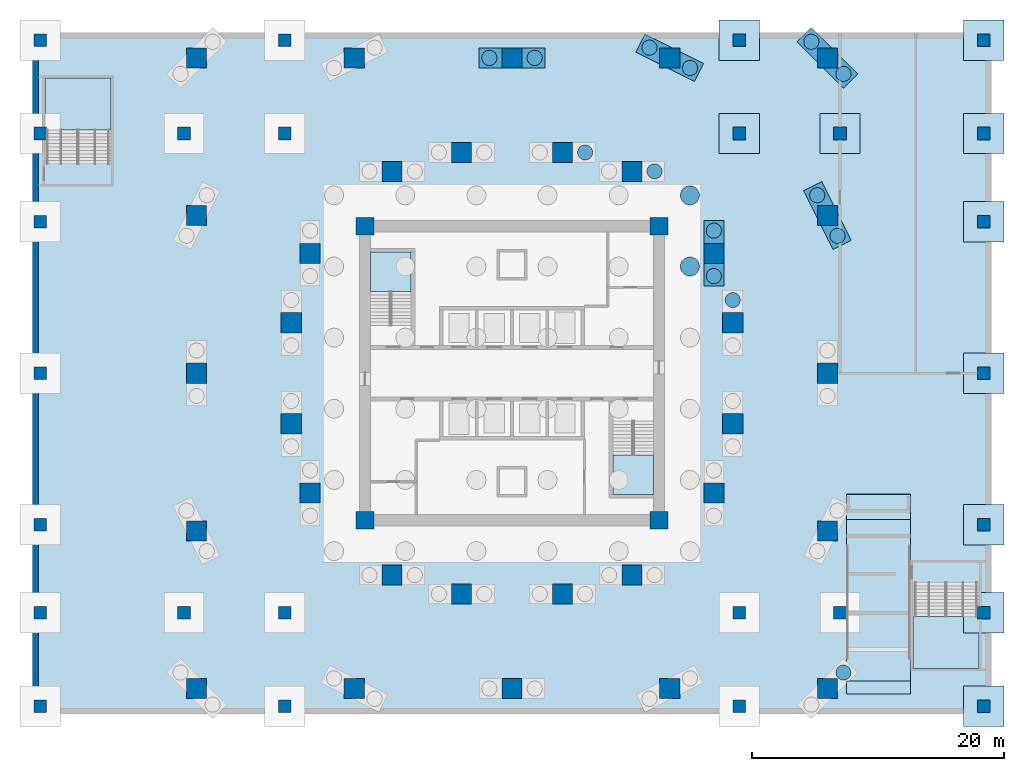
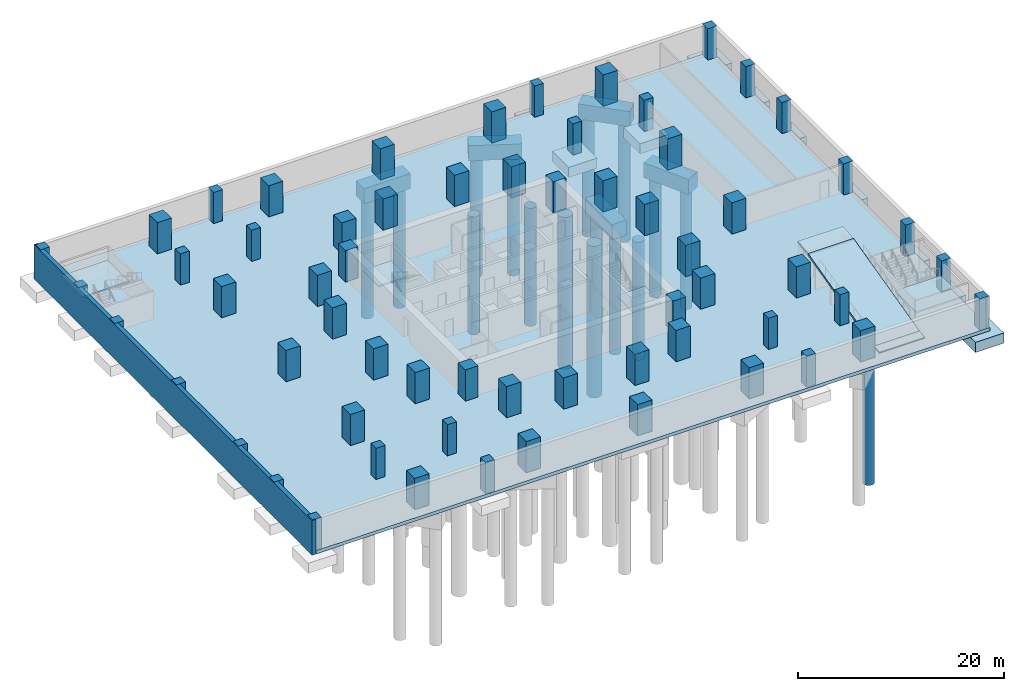
# One storey, part 2 of 11: 62 columns, 16 piles, 15 footings, 8 slabs, 1 wall, 4 elements without a shape of their own.
"""IFC4 building model written with IfcOpenShell, lengths in metres."""

from ifc_helpers import new_model, si_unit, direction, frame, frame_2d, origin, origin_2d, place, context, subcontext, project, spatial, polyline, rectangle, circle, outline, extrude, material, layer, layer_set, material_profile, profile_set, type_object, element, aggregate, save


model = new_model("IFC4")

# Units and contexts
model_context = context("Model", 3, precision=1e-05, world=origin(), true_north=direction((0.0, 1.0)))
body_context = subcontext(model_context, "Body", "Model", "MODEL_VIEW")
ifc_project = project(units=[si_unit("LENGTHUNIT", "METRE"), si_unit("AREAUNIT", "SQUARE_METRE"), si_unit("VOLUMEUNIT", "CUBIC_METRE"), si_unit("PLANEANGLEUNIT", "RADIAN"), si_unit("MASSUNIT", "GRAM", prefix="KILO")], contexts=[model_context])

# Site, building, storey
site_placement = place(None, origin())
site = spatial("IfcSite", under=ifc_project, at=site_placement, CompositionType="ELEMENT")
building_placement = place(site_placement, origin())
building = spatial("IfcBuilding", under=site, at=building_placement, Name="Torsade Residences", CompositionType="ELEMENT")
storey_placement = place(building_placement, frame((0.0, 0.0, -7.39990234375)))
storey = spatial("IfcBuildingStorey", under=building, at=storey_placement, Name="B2", CompositionType="ELEMENT", Elevation=-7.39990234375)

# Piles
ifc_material_1 = material(Name="Concrete 50 MPa", Category="concrete")
pile_type_1 = type_object("IfcPileType", Name="BORED PILE 1200", PredefinedType="BORED", material=ifc_material_1)
for number, where, z_axis, x_axis, name in (
    (1, (66.272705078125, 6.272705078125, -2.2001953125), (0.0, 0.0, -1.0), (1.0, 0.0, 0.0), "Cap pile BP2-05-2"),
    (2, (65.804931640625, 40.89013671875, -2.2001953125), (0.0, 0.0, -1.0), (1.0, 0.0, 0.0), "Cap pile BP2-08-1"),
    (3, (64.195068359375, 44.10986328125, -2.2001953125), (0.0, 0.0, -1.0), (1.0, 0.0, 0.0), "Cap pile BP2-08-2"),
    (4, (66.272705078125, 53.727294921875, -2.2001953125), (0.0, 0.0, -1.0), (1.0, 0.0, 0.0), "Cap pile BP2-09-1"),
    (5, (63.727294921875, 56.272705078125, -2.2001953125), (0.0, 0.0, -1.0), (1.0, 0.0, 0.0), "Cap pile BP2-09-2"),
    (6, (54.10986328125, 54.195068359375, -2.2001953125), (0.0, 0.0, -1.0), (1.0, 0.0, 0.0), "Cap pile BP2-10-1"),
    (7, (50.89013671875, 55.804931640625, -2.2001953125), (0.0, 0.0, -1.0), (1.0, 0.0, 0.0), "Cap pile BP2-10-2"),
    (8, (41.800048828125, 55.0, -2.2001953125), (0.0, 0.0, -1.0), (1.0, 0.0, 0.0), "Cap pile BP2-11-1"),
    (9, (38.199951171875, 55.0, -2.2001953125), (0.0, 0.0, -1.0), (1.0, 0.0, 0.0), "Cap pile BP2-11-2"),
    (10, (57.5, 35.800048828125, -2.2001953125), (0.0, 0.0, -1.0), (1.0, 0.0, 0.0), "Cap pile BP2-IR02-2"),
    (11, (56.0, 37.699951171875, -2.2001953125), (0.0, 0.0, -1.0), (1.0, 0.0, 0.0), "Cap pile BP2-IR03-1"),
    (12, (56.0, 41.300048828125, -2.2001953125), (0.0, 0.0, -1.0), (1.0, 0.0, 0.0), "Cap pile BP2-IR03-2"),
    (13, (51.300048828125, 46.0, -2.2001953125), (0.0, 0.0, -1.0), (1.0, 0.0, 0.0), "Cap pile BP2-IR04-2"),
    (14, (45.800048828125, 47.5, -2.2001953125), (0.0, 0.0, -1.0), (1.0, 0.0, 0.0), "Cap pile BP2-IR05-2"),
):
    element("IfcPile", number, at=place(storey_placement, frame(where, z_axis=z_axis, x_axis=x_axis)), inside=storey, type_object=pile_type_1, Name=name, PredefinedType="BORED", context=body_context, shape_type="SweptSolid", body=[
        extrude(circle(Radius=0.60009765625, at=origin_2d()), origin(), (0.0, 0.0, 1.0), 14.0),
    ])
ifc_material_2 = material(Name="Concrete 50 MPa", Category="concrete")
pile_type_2 = type_object("IfcPileType", Name="BORED PILE 1500", PredefinedType="BORED", material=ifc_material_2)
for number, where, z_axis, x_axis, name in (
    (15, (54.10009765625, 38.4599609375, -3.0), (0.0, 0.0, -1.0), (1.0, 0.0, 0.0), "Raft pile BP1-35"),
    (16, (54.10009765625, 44.10009765625, -3.0), (0.0, 0.0, -1.0), (1.0, 0.0, 0.0), "Raft pile BP1-36"),
):
    element("IfcPile", number, at=place(storey_placement, frame(where, z_axis=z_axis, x_axis=x_axis)), inside=storey, type_object=pile_type_2, Name=name, PredefinedType="BORED", context=body_context, shape_type="SweptSolid", body=[
        extrude(circle(Radius=0.75, at=origin_2d()), origin(), (0.0, 0.0, 1.0), 18.0),
    ])

# Footings
ifc_material_3 = material(Name="Concrete 50 MPa", Category="concrete")
ifc_layer_1 = layer(ifc_material_3, 1.800048828125)
ifc_layer_set_1 = layer_set([ifc_layer_1], Name="Concrete 50 MPa")
footing_type_1 = type_object("IfcFootingType", Name="COLUMN PILE CAP 1800", PredefinedType="PILE_CAP", material=ifc_layer_set_1)
footing_1_placement = place(storey_placement, frame((0.0, 0.0, -2.2001953125)))
element("IfcFooting", 17, at=footing_1_placement, inside=storey, type_object=footing_type_1, Name="Column pile cap PC2-08", PredefinedType="PILE_CAP", context=body_context, shape_type="SweptSolid", body=[
    extrude(outline(polyline([(66.87841796875, 40.5322265625), (64.552734375, 45.183349609375), (63.12158203125, 44.4677734375), (65.447265625, 39.816650390625), (66.87841796875, 40.5322265625)])), origin(), (0.0, 0.0, 1.0), 1.800048828125),
])
footing_2_placement = place(storey_placement, frame((0.0, 0.0, -2.2001953125)))
element("IfcFooting", 18, at=footing_2_placement, inside=storey, type_object=footing_type_1, Name="Column pile cap PC2-09", PredefinedType="PILE_CAP", context=body_context, shape_type="SweptSolid", body=[
    extrude(outline(polyline([(67.404052734375, 53.727294921875), (63.727294921875, 57.404052734375), (62.595947265625, 56.272705078125), (66.272705078125, 52.595947265625), (67.404052734375, 53.727294921875)])), origin(), (0.0, 0.0, 1.0), 1.800048828125),
])
footing_3_placement = place(storey_placement, frame((0.0, 0.0, -2.2001953125)))
element("IfcFooting", 19, at=footing_3_placement, inside=storey, type_object=footing_type_1, Name="Column pile cap PC2-10", PredefinedType="PILE_CAP", context=body_context, shape_type="SweptSolid", body=[
    extrude(outline(polyline([(55.183349609375, 54.552734375), (50.5322265625, 56.87841796875), (49.816650390625, 55.447265625), (54.4677734375, 53.12158203125), (55.183349609375, 54.552734375)])), origin(), (0.0, 0.0, 1.0), 1.800048828125),
])
footing_4_placement = place(storey_placement, frame((0.0, 0.0, -2.2001953125)))
element("IfcFooting", 20, at=footing_4_placement, inside=storey, type_object=footing_type_1, Name="Column pile cap PC2-11", PredefinedType="PILE_CAP", context=body_context, shape_type="SweptSolid", body=[
    extrude(outline(polyline([(42.60009765625, 55.800048828125), (37.39990234375, 55.800048828125), (37.39990234375, 54.199951171875), (42.60009765625, 54.199951171875), (42.60009765625, 55.800048828125)])), origin(), (0.0, 0.0, 1.0), 1.800048828125),
])
footing_5_placement = place(storey_placement, frame((0.0, 0.0, -2.2001953125)))
element("IfcFooting", 21, at=footing_5_placement, inside=storey, type_object=footing_type_1, Name="Inner ring column pile cap PC2-IR03", PredefinedType="PILE_CAP", context=body_context, shape_type="SweptSolid", body=[
    extrude(outline(polyline([(55.199951171875, 36.89990234375), (56.800048828125, 36.89990234375), (56.800048828125, 42.10009765625), (55.199951171875, 42.10009765625), (55.199951171875, 36.89990234375)])), origin(), (0.0, 0.0, 1.0), 1.800048828125),
])
ifc_material_4 = material(Name="Concrete 50 MPa", Category="concrete")
ifc_layer_2 = layer(ifc_material_4, 1.199951171875)
ifc_layer_set_2 = layer_set([ifc_layer_2], Name="Concrete 50 MPa")
footing_type_2 = type_object("IfcFootingType", Name="PAD FOOTING 3200 SQ", PredefinedType="PAD_FOOTING", material=ifc_layer_set_2)
footing_6_placement = place(storey_placement, frame((0.0, 0.0, -1.60009765625)))
element("IfcFooting", 22, at=footing_6_placement, inside=storey, type_object=footing_type_2, Name="Pad footing F1 7F", PredefinedType="PAD_FOOTING", context=body_context, shape_type="SweptSolid", body=[
    extrude(outline(polyline([(56.39990234375, 47.39990234375), (59.60009765625, 47.39990234375), (59.60009765625, 50.60009765625), (56.39990234375, 50.60009765625), (56.39990234375, 47.39990234375)])), origin(), (0.0, 0.0, 1.0), 1.199951171875),
])
footing_7_placement = place(storey_placement, frame((0.0, 0.0, -1.60009765625)))
element("IfcFooting", 23, at=footing_7_placement, inside=storey, type_object=footing_type_2, Name="Pad footing F1 7G", PredefinedType="PAD_FOOTING", context=body_context, shape_type="SweptSolid", body=[
    extrude(outline(polyline([(56.39990234375, 54.800048828125), (59.60009765625, 54.800048828125), (59.60009765625, 58.0), (56.39990234375, 58.0), (56.39990234375, 54.800048828125)])), origin(), (0.0, 0.0, 1.0), 1.199951171875),
])
footing_8_placement = place(storey_placement, frame((0.0, 0.0, -1.60009765625)))
element("IfcFooting", 24, at=footing_8_placement, inside=storey, type_object=footing_type_2, Name="Pad footing F1 8F", PredefinedType="PAD_FOOTING", context=body_context, shape_type="SweptSolid", body=[
    extrude(outline(polyline([(64.39990234375, 47.39990234375), (67.60009765625, 47.39990234375), (67.60009765625, 50.60009765625), (64.39990234375, 50.60009765625), (64.39990234375, 47.39990234375)])), origin(), (0.0, 0.0, 1.0), 1.199951171875),
])
footing_9_placement = place(storey_placement, frame((0.0, 0.0, -1.60009765625)))
element("IfcFooting", 25, at=footing_9_placement, inside=storey, type_object=footing_type_2, Name="Pad footing F1 9A", PredefinedType="PAD_FOOTING", context=body_context, shape_type="SweptSolid", body=[
    extrude(outline(polyline([(75.800048828125, 2.0), (79.0, 2.0), (79.0, 5.199951171875), (75.800048828125, 5.199951171875), (75.800048828125, 2.0)])), origin(), (0.0, 0.0, 1.0), 1.199951171875),
])
footing_10_placement = place(storey_placement, frame((0.0, 0.0, -1.60009765625)))
element("IfcFooting", 26, at=footing_10_placement, inside=storey, type_object=footing_type_2, Name="Pad footing F1 9B", PredefinedType="PAD_FOOTING", context=body_context, shape_type="SweptSolid", body=[
    extrude(outline(polyline([(75.800048828125, 9.39990234375), (79.0, 9.39990234375), (79.0, 12.60009765625), (75.800048828125, 12.60009765625), (75.800048828125, 9.39990234375)])), origin(), (0.0, 0.0, 1.0), 1.199951171875),
])
footing_11_placement = place(storey_placement, frame((0.0, 0.0, -1.60009765625)))
element("IfcFooting", 27, at=footing_11_placement, inside=storey, type_object=footing_type_2, Name="Pad footing F1 9C", PredefinedType="PAD_FOOTING", context=body_context, shape_type="SweptSolid", body=[
    extrude(outline(polyline([(75.800048828125, 16.39990234375), (79.0, 16.39990234375), (79.0, 19.60009765625), (75.800048828125, 19.60009765625), (75.800048828125, 16.39990234375)])), origin(), (0.0, 0.0, 1.0), 1.199951171875),
])
footing_12_placement = place(storey_placement, frame((0.0, 0.0, -1.60009765625)))
element("IfcFooting", 28, at=footing_12_placement, inside=storey, type_object=footing_type_2, Name="Pad footing F1 9D", PredefinedType="PAD_FOOTING", context=body_context, shape_type="SweptSolid", body=[
    extrude(outline(polyline([(75.800048828125, 28.39990234375), (79.0, 28.39990234375), (79.0, 31.60009765625), (75.800048828125, 31.60009765625), (75.800048828125, 28.39990234375)])), origin(), (0.0, 0.0, 1.0), 1.199951171875),
])
footing_13_placement = place(storey_placement, frame((0.0, 0.0, -1.60009765625)))
element("IfcFooting", 29, at=footing_13_placement, inside=storey, type_object=footing_type_2, Name="Pad footing F1 9E", PredefinedType="PAD_FOOTING", context=body_context, shape_type="SweptSolid", body=[
    extrude(outline(polyline([(75.800048828125, 40.39990234375), (79.0, 40.39990234375), (79.0, 43.60009765625), (75.800048828125, 43.60009765625), (75.800048828125, 40.39990234375)])), origin(), (0.0, 0.0, 1.0), 1.199951171875),
])
footing_14_placement = place(storey_placement, frame((0.0, 0.0, -1.60009765625)))
element("IfcFooting", 30, at=footing_14_placement, inside=storey, type_object=footing_type_2, Name="Pad footing F1 9F", PredefinedType="PAD_FOOTING", context=body_context, shape_type="SweptSolid", body=[
    extrude(outline(polyline([(75.800048828125, 47.39990234375), (79.0, 47.39990234375), (79.0, 50.60009765625), (75.800048828125, 50.60009765625), (75.800048828125, 47.39990234375)])), origin(), (0.0, 0.0, 1.0), 1.199951171875),
])
footing_15_placement = place(storey_placement, frame((0.0, 0.0, -1.60009765625)))
element("IfcFooting", 31, at=footing_15_placement, inside=storey, type_object=footing_type_2, Name="Pad footing F1 9G", PredefinedType="PAD_FOOTING", context=body_context, shape_type="SweptSolid", body=[
    extrude(outline(polyline([(75.800048828125, 54.800048828125), (79.0, 54.800048828125), (79.0, 58.0), (75.800048828125, 58.0), (75.800048828125, 54.800048828125)])), origin(), (0.0, 0.0, 1.0), 1.199951171875),
])

# Columns
ifc_material_5 = material(Name="Concrete 40 MPa", Category="concrete")
ifc_material_profile_1 = material_profile(ifc_material_5, rectangle(XDim=1.0, YDim=1.0, at=origin_2d()), Name="RC 1000x1000")
ifc_profile_set_1 = profile_set([ifc_material_profile_1], Name="Concrete 40 MPa")
column_type_1 = type_object("IfcColumnType", Name="BASEMENT COLUMN RC 1000x1000", PredefinedType="COLUMN", material=ifc_profile_set_1)
for number, where, z_axis, x_axis, name in (
    (32, (2.60009765625, 3.60009765625, -0.400146484375), (0.0, 0.0, 1.0), (1.0, 0.0, 0.0), "Column 1A B2"),
    (33, (2.60009765625, 11.0, -0.400146484375), (0.0, 0.0, 1.0), (1.0, 0.0, 0.0), "Column 1B B2"),
    (34, (2.60009765625, 18.0, -0.400146484375), (0.0, 0.0, 1.0), (1.0, 0.0, 0.0), "Column 1C B2"),
    (35, (2.60009765625, 30.0, -0.400146484375), (0.0, 0.0, 1.0), (1.0, 0.0, 0.0), "Column 1D B2"),
    (36, (2.60009765625, 42.0, -0.400146484375), (0.0, 0.0, 1.0), (1.0, 0.0, 0.0), "Column 1E B2"),
    (37, (2.60009765625, 49.0, -0.400146484375), (0.0, 0.0, 1.0), (1.0, 0.0, 0.0), "Column 1F B2"),
    (38, (2.60009765625, 56.39990234375, -0.400146484375), (0.0, 0.0, 1.0), (1.0, 0.0, 0.0), "Column 1G B2"),
    (39, (14.0, 11.0, -0.400146484375), (0.0, 0.0, 1.0), (1.0, 0.0, 0.0), "Column 2B B2"),
    (40, (14.0, 49.0, -0.400146484375), (0.0, 0.0, 1.0), (1.0, 0.0, 0.0), "Column 2F B2"),
    (41, (22.0, 3.60009765625, -0.400146484375), (0.0, 0.0, 1.0), (1.0, 0.0, 0.0), "Column 3A B2"),
    (42, (22.0, 11.0, -0.400146484375), (0.0, 0.0, 1.0), (1.0, 0.0, 0.0), "Column 3B B2"),
    (43, (22.0, 49.0, -0.400146484375), (0.0, 0.0, 1.0), (1.0, 0.0, 0.0), "Column 3F B2"),
    (44, (22.0, 56.39990234375, -0.400146484375), (0.0, 0.0, 1.0), (1.0, 0.0, 0.0), "Column 3G B2"),
    (45, (58.0, 3.60009765625, -0.400146484375), (0.0, 0.0, 1.0), (1.0, 0.0, 0.0), "Column 7A B2"),
    (46, (58.0, 11.0, -0.400146484375), (0.0, 0.0, 1.0), (1.0, 0.0, 0.0), "Column 7B B2"),
    (47, (58.0, 49.0, -0.400146484375), (0.0, 0.0, 1.0), (1.0, 0.0, 0.0), "Column 7F B2"),
    (48, (58.0, 56.39990234375, -0.400146484375), (0.0, 0.0, 1.0), (1.0, 0.0, 0.0), "Column 7G B2"),
    (49, (66.0, 11.0, -0.400146484375), (0.0, 0.0, 1.0), (1.0, 0.0, 0.0), "Column 8B B2"),
    (50, (66.0, 49.0, -0.400146484375), (0.0, 0.0, 1.0), (1.0, 0.0, 0.0), "Column 8F B2"),
    (51, (77.39990234375, 3.60009765625, -0.400146484375), (0.0, 0.0, 1.0), (1.0, 0.0, 0.0), "Column 9A B2"),
    (52, (77.39990234375, 11.0, -0.400146484375), (0.0, 0.0, 1.0), (1.0, 0.0, 0.0), "Column 9B B2"),
    (53, (77.39990234375, 18.0, -0.400146484375), (0.0, 0.0, 1.0), (1.0, 0.0, 0.0), "Column 9C B2"),
    (54, (77.39990234375, 30.0, -0.400146484375), (0.0, 0.0, 1.0), (1.0, 0.0, 0.0), "Column 9D B2"),
    (55, (77.39990234375, 42.0, -0.400146484375), (0.0, 0.0, 1.0), (1.0, 0.0, 0.0), "Column 9E B2"),
    (56, (77.39990234375, 49.0, -0.400146484375), (0.0, 0.0, 1.0), (1.0, 0.0, 0.0), "Column 9F B2"),
    (57, (77.39990234375, 56.39990234375, -0.400146484375), (0.0, 0.0, 1.0), (1.0, 0.0, 0.0), "Column 9G B2"),
):
    element("IfcColumn", number, at=place(storey_placement, frame(where, z_axis=z_axis, x_axis=x_axis)), inside=storey, type_object=column_type_1, Name=name, PredefinedType="COLUMN", context=body_context, shape_type="SweptSolid", body=[
        extrude(rectangle(XDim=1.0, YDim=1.0, at=origin_2d()), origin(), (0.0, 0.0, 1.0), 4.10009765625),
    ])
ifc_material_6 = material(Name="Concrete 80 MPa", Category="concrete")
ifc_material_profile_2 = material_profile(ifc_material_6, rectangle(XDim=1.39990234375, YDim=1.39990234375, at=origin_2d()), Name="RC 1400x1400")
ifc_profile_set_2 = profile_set([ifc_material_profile_2], Name="Concrete 80 MPa")
column_type_2 = type_object("IfcColumnType", Name="CORE CORNER COLUMN RC 1400x1400", PredefinedType="COLUMN", material=ifc_profile_set_2)
for number, where, z_axis, x_axis, name in (
    (58, (28.35009765625, 18.35009765625, -0.400146484375), (0.0, 0.0, 1.0), (1.0, 0.0, 0.0), "Core corner column CC1 B2"),
    (59, (51.64990234375, 18.35009765625, -0.400146484375), (0.0, 0.0, 1.0), (1.0, 0.0, 0.0), "Core corner column CC2 B2"),
    (60, (51.64990234375, 41.64990234375, -0.400146484375), (0.0, 0.0, 1.0), (1.0, 0.0, 0.0), "Core corner column CC3 B2"),
    (61, (28.35009765625, 41.64990234375, -0.400146484375), (0.0, 0.0, 1.0), (1.0, 0.0, 0.0), "Core corner column CC4 B2"),
):
    element("IfcColumn", number, at=place(storey_placement, frame(where, z_axis=z_axis, x_axis=x_axis)), inside=storey, type_object=column_type_2, Name=name, PredefinedType="COLUMN", context=body_context, shape_type="SweptSolid", body=[
        extrude(rectangle(XDim=1.39990234375, YDim=1.39990234375, at=origin_2d()), origin(), (0.0, 0.0, 1.0), 4.10009765625),
    ])
ifc_material_7 = material(Name="Concrete 80 MPa", Category="concrete")
ifc_material_profile_3 = material_profile(ifc_material_7, rectangle(XDim=1.60009765625, YDim=1.60009765625, at=origin_2d()), Name="RC 1600x1600")
ifc_profile_set_3 = profile_set([ifc_material_profile_3], Name="Concrete 80 MPa")
column_type_3 = type_object("IfcColumnType", Name="INNER RING COLUMN RC 1600x1600", PredefinedType="COLUMN", material=ifc_profile_set_3)
for number, where, z_axis, x_axis, name in (
    (62, (57.5, 26.0, -0.400146484375), (0.0, 0.0, 1.0), (1.0, 0.0, 0.0), "Inner ring column IR01 B2"),
    (63, (57.5, 34.0, -0.400146484375), (0.0, 0.0, 1.0), (1.0, 0.0, 0.0), "Inner ring column IR02 B2"),
    (64, (56.0, 39.5, -0.400146484375), (0.0, 0.0, 1.0), (1.0, 0.0, 0.0), "Inner ring column IR03 B2"),
    (65, (49.5, 46.0, -0.400146484375), (0.0, 0.0, 1.0), (1.0, 0.0, 0.0), "Inner ring column IR04 B2"),
    (66, (44.0, 47.5, -0.400146484375), (0.0, 0.0, 1.0), (1.0, 0.0, 0.0), "Inner ring column IR05 B2"),
    (67, (36.0, 47.5, -0.400146484375), (0.0, 0.0, 1.0), (1.0, 0.0, 0.0), "Inner ring column IR06 B2"),
    (68, (30.5, 46.0, -0.400146484375), (0.0, 0.0, 1.0), (1.0, 0.0, 0.0), "Inner ring column IR07 B2"),
    (69, (24.0, 39.5, -0.400146484375), (0.0, 0.0, 1.0), (1.0, 0.0, 0.0), "Inner ring column IR08 B2"),
    (70, (22.5, 34.0, -0.400146484375), (0.0, 0.0, 1.0), (1.0, 0.0, 0.0), "Inner ring column IR09 B2"),
    (71, (22.5, 26.0, -0.400146484375), (0.0, 0.0, 1.0), (1.0, 0.0, 0.0), "Inner ring column IR10 B2"),
    (72, (24.0, 20.5, -0.400146484375), (0.0, 0.0, 1.0), (1.0, 0.0, 0.0), "Inner ring column IR11 B2"),
    (73, (30.5, 14.0, -0.400146484375), (0.0, 0.0, 1.0), (1.0, 0.0, 0.0), "Inner ring column IR12 B2"),
    (74, (36.0, 12.5, -0.400146484375), (0.0, 0.0, 1.0), (1.0, 0.0, 0.0), "Inner ring column IR13 B2"),
    (75, (44.0, 12.5, -0.400146484375), (0.0, 0.0, 1.0), (1.0, 0.0, 0.0), "Inner ring column IR14 B2"),
    (76, (49.5, 14.0, -0.400146484375), (0.0, 0.0, 1.0), (1.0, 0.0, 0.0), "Inner ring column IR15 B2"),
    (77, (56.0, 20.5, -0.400146484375), (0.0, 0.0, 1.0), (1.0, 0.0, 0.0), "Inner ring column IR16 B2"),
):
    element("IfcColumn", number, at=place(storey_placement, frame(where, z_axis=z_axis, x_axis=x_axis)), inside=storey, type_object=column_type_3, Name=name, PredefinedType="COLUMN", context=body_context, shape_type="SweptSolid", body=[
        extrude(rectangle(XDim=1.60009765625, YDim=1.60009765625, at=origin_2d()), origin(), (0.0, 0.0, 1.0), 4.10009765625),
    ])
ifc_material_8 = material(Name="Concrete 80 MPa", Category="concrete")
ifc_material_profile_4 = material_profile(ifc_material_8, rectangle(XDim=1.60009765625, YDim=1.60009765625, at=origin_2d()), Name="RC 1600x1600")
ifc_profile_set_4 = profile_set([ifc_material_profile_4], Name="Concrete 80 MPa")
column_type_4 = type_object("IfcColumnType", Name="TOWER COLUMN RC 1600x1600", PredefinedType="COLUMN", material=ifc_profile_set_4)
for number, where, z_axis, x_axis, name in (
    (78, (15.0, 5.0, -0.400146484375), (0.0, 0.0, 1.0), (1.0, 0.0, 0.0), "Column TC1-01 B2"),
    (79, (27.5, 5.0, -0.400146484375), (0.0, 0.0, 1.0), (1.0, 0.0, 0.0), "Column TC1-02 B2"),
    (80, (40.0, 5.0, -0.400146484375), (0.0, 0.0, 1.0), (1.0, 0.0, 0.0), "Column TC1-03 B2"),
    (81, (52.5, 5.0, -0.400146484375), (0.0, 0.0, 1.0), (1.0, 0.0, 0.0), "Column TC1-04 B2"),
    (82, (65.0, 5.0, -0.400146484375), (0.0, 0.0, 1.0), (1.0, 0.0, 0.0), "Column TC1-05 B2"),
    (83, (65.0, 17.5, -0.400146484375), (0.0, 0.0, 1.0), (1.0, 0.0, 0.0), "Column TC1-06 B2"),
    (84, (65.0, 30.0, -0.400146484375), (0.0, 0.0, 1.0), (1.0, 0.0, 0.0), "Column TC1-07 B2"),
    (85, (65.0, 42.5, -0.400146484375), (0.0, 0.0, 1.0), (1.0, 0.0, 0.0), "Column TC1-08 B2"),
    (86, (65.0, 55.0, -0.400146484375), (0.0, 0.0, 1.0), (1.0, 0.0, 0.0), "Column TC1-09 B2"),
    (87, (52.5, 55.0, -0.400146484375), (0.0, 0.0, 1.0), (1.0, 0.0, 0.0), "Column TC1-10 B2"),
    (88, (40.0, 55.0, -0.400146484375), (0.0, 0.0, 1.0), (1.0, 0.0, 0.0), "Column TC1-11 B2"),
    (89, (27.5, 55.0, -0.400146484375), (0.0, 0.0, 1.0), (1.0, 0.0, 0.0), "Column TC1-12 B2"),
    (90, (15.0, 55.0, -0.400146484375), (0.0, 0.0, 1.0), (1.0, 0.0, 0.0), "Column TC1-13 B2"),
    (91, (15.0, 42.5, -0.400146484375), (0.0, 0.0, 1.0), (1.0, 0.0, 0.0), "Column TC1-14 B2"),
    (92, (15.0, 30.0, -0.400146484375), (0.0, 0.0, 1.0), (1.0, 0.0, 0.0), "Column TC1-15 B2"),
    (93, (15.0, 17.5, -0.400146484375), (0.0, 0.0, 1.0), (1.0, 0.0, 0.0), "Column TC1-16 B2"),
):
    element("IfcColumn", number, at=place(storey_placement, frame(where, z_axis=z_axis, x_axis=x_axis)), inside=storey, type_object=column_type_4, Name=name, PredefinedType="COLUMN", context=body_context, shape_type="SweptSolid", body=[
        extrude(rectangle(XDim=1.60009765625, YDim=1.60009765625, at=origin_2d()), origin(), (0.0, 0.0, 1.0), 4.10009765625),
    ])

# Slabs
ifc_material_9 = material(Name="Concrete 50 MPa", Category="concrete")
ifc_layer_3 = layer(ifc_material_9, 0.39990234375)
ifc_layer_set_3 = layer_set([ifc_layer_3], Name="Concrete 50 MPa")
slab_type_1 = type_object("IfcSlabType", Name="BASEMENT BASE SLAB 400", PredefinedType="BASESLAB", material=ifc_layer_set_3)
slab_1_placement = place(storey_placement, frame((0.0, 0.0, -0.400146484375)))
element("IfcSlab", 94, at=slab_1_placement, inside=storey, type_object=slab_type_1, Name="Basement base slab B2", PredefinedType="BASESLAB", context=body_context, shape_type="SweptSolid", body=[
    extrude(outline(polyline([(78.0, 3.0), (78.0, 57.0), (2.0, 57.0), (2.0, 3.0), (78.0, 3.0)])), origin(), (0.0, 0.0, 1.0), 0.400146484375),
])
ifc_material_10 = material(Name="Concrete 40 MPa", Category="concrete")
ifc_layer_4 = layer(ifc_material_10, 0.239990234375)
ifc_layer_set_4 = layer_set([ifc_layer_4], Name="Concrete 40 MPa")
slab_type_2 = type_object("IfcSlabType", Name="CAR PARK RAMP SLAB 240", PredefinedType="USERDEFINED", material=ifc_layer_set_4)
slab_2_placement = place(storey_placement, frame((66.5, 5.60009765625, 0.25), z_axis=(0.0, -0.242535625036, 0.970142500145), x_axis=(1.0, 0.0, 0.0)))
element("IfcSlab", 95, at=slab_2_placement, inside=storey, type_object=slab_type_2, Name="Car park ramp R1 deck 2", ObjectType="VEHICLE RAMP", PredefinedType="USERDEFINED", context=body_context, shape_type="SweptSolid", body=[
    extrude(outline(polyline([(0.0, 0.0), (5.10009765625, 0.0), (5.10009765625, 13.19373667845964), (0.0, 13.19373667845964), (0.0, 0.0)])), origin(), (0.0, 0.0, -1.0), 0.239990234375),
])
slab_3_placement = place(storey_placement, frame((66.5, 18.39990234375, 3.449951171875), z_axis=(0.0, -0.124034734589, 0.992277876714), x_axis=(1.0, 0.0, 0.0)))
element("IfcSlab", 96, at=slab_3_placement, inside=storey, type_object=slab_type_2, Name="Car park ramp R1 deck 3", ObjectType="VEHICLE RAMP", PredefinedType="USERDEFINED", context=body_context, shape_type="SweptSolid", body=[
    extrude(outline(polyline([(0.0, 0.0), (5.10009765625, 0.0), (5.10009765625, 2.0155644370746373), (0.0, 2.0155644370746373), (0.0, 0.0)])), origin(), (0.0, 0.0, -1.0), 0.239990234375),
])
ifc_material_11 = material(Name="Concrete 40 MPa", Category="concrete")
ifc_layer_5 = layer(ifc_material_11, 0.1201171875)
ifc_layer_set_5 = layer_set([ifc_layer_5], Name="Concrete 40 MPa")
slab_type_3 = type_object("IfcSlabType", Name="CAR PARK RAMP TOE SLAB 120", PredefinedType="USERDEFINED", material=ifc_layer_set_5)
slab_4_placement = place(storey_placement, frame((66.5, 4.5673828125, 0.120849609375), z_axis=(0.0, -0.124092476989, 0.992270657207), x_axis=(1.0, 0.0, 0.0)))
element("IfcSlab", 97, at=slab_4_placement, inside=storey, type_object=slab_type_3, Name="Car park ramp R1 deck 1", ObjectType="VEHICLE RAMP", PredefinedType="USERDEFINED", context=body_context, shape_type="SweptSolid", body=[
    extrude(outline(polyline([(0.0, 0.0), (5.10009765625, 0.0), (5.10009765625, 1.0407592285923661), (0.0, 1.0407592285923661), (0.0, 0.0)])), origin(), (0.0, 0.0, -1.0), 0.1201171875),
])

# Stair, slab
ifc_material_12 = material(Name="Precast concrete 40 MPa", Category="concrete")
stair_type_1 = type_object("IfcStairType", Name="HALF-TURN FIRE STAIR 1500x3700", PredefinedType="HALF_TURN_STAIR", material=ifc_material_12)
stair_1_placement = place(storey_placement, origin())
stair_1 = element("IfcStair", 98, at=stair_1_placement, inside=storey, type_object=stair_type_1, Name="Stair ST1 B2", PredefinedType="HALF_TURN_STAIR")
ifc_material_13 = material(Name="Precast concrete 40 MPa", Category="concrete")
ifc_layer_6 = layer(ifc_material_13, 0.179931640625)
ifc_layer_set_6 = layer_set([ifc_layer_6], Name="Precast concrete 40 MPa")
slab_type_4 = type_object("IfcSlabType", Name="PRECAST STAIR LANDING 180", PredefinedType="LANDING", material=ifc_layer_set_6)
slab_5_placement = place(storey_placement, frame((0.0, 0.0, 1.669921875)))
slab_5 = element("IfcSlab", 99, at=slab_5_placement, type_object=slab_type_4, Name="ST1 landing 1", PredefinedType="LANDING", context=body_context, shape_type="SweptSolid", body=[
    extrude(outline(polyline([(28.800048828125, 36.47998046875), (32.0, 36.47998046875), (32.0, 39.60009765625), (28.800048828125, 39.60009765625), (28.800048828125, 36.47998046875)])), origin(), (0.0, 0.0, 1.0), 0.179931640625),
])
aggregate(stair_1, [slab_5])

stair_2_placement = place(storey_placement, origin())
stair_2 = element("IfcStair", 100, at=stair_2_placement, inside=storey, type_object=stair_type_1, Name="Stair ST2 B2", PredefinedType="HALF_TURN_STAIR")
slab_6_placement = place(storey_placement, frame((0.0, 0.0, 1.669921875)))
slab_6 = element("IfcSlab", 101, at=slab_6_placement, type_object=slab_type_4, Name="ST2 landing 1", PredefinedType="LANDING", context=body_context, shape_type="SweptSolid", body=[
    extrude(outline(polyline([(48.0, 20.39990234375), (51.199951171875, 20.39990234375), (51.199951171875, 23.52001953125), (48.0, 23.52001953125), (48.0, 20.39990234375)])), origin(), (0.0, 0.0, 1.0), 0.179931640625),
])
aggregate(stair_2, [slab_6])

ifc_material_14 = material(Name="Concrete 40 MPa", Category="concrete")
stair_type_2 = type_object("IfcStairType", Name="HALF-TURN PODIUM STAIR 2500x3700", PredefinedType="HALF_TURN_STAIR", material=ifc_material_14)
stair_3_placement = place(storey_placement, origin())
stair_3 = element("IfcStair", 102, at=stair_3_placement, inside=storey, type_object=stair_type_2, Name="Stair ST3 B2", PredefinedType="HALF_TURN_STAIR")
ifc_material_15 = material(Name="Concrete 40 MPa", Category="concrete")
ifc_layer_7 = layer(ifc_material_15, 0.199951171875)
ifc_layer_set_7 = layer_set([ifc_layer_7], Name="Concrete 40 MPa")
slab_type_5 = type_object("IfcSlabType", Name="STAIR LANDING 200", PredefinedType="LANDING", material=ifc_layer_set_7)
slab_7_placement = place(storey_placement, frame((0.0, 0.0, 1.64990234375)))
slab_7 = element("IfcSlab", 103, at=slab_7_placement, type_object=slab_type_5, Name="ST3 landing 1", PredefinedType="LANDING", context=body_context, shape_type="SweptSolid", body=[
    extrude(outline(polyline([(3.0, 49.280029296875), (8.199951171875, 49.280029296875), (8.199951171875, 53.419921875), (3.0, 53.419921875), (3.0, 49.280029296875)])), origin(), (0.0, 0.0, 1.0), 0.199951171875),
])
aggregate(stair_3, [slab_7])

stair_4_placement = place(storey_placement, origin())
stair_4 = element("IfcStair", 104, at=stair_4_placement, inside=storey, type_object=stair_type_2, Name="Stair ST4 B2", PredefinedType="HALF_TURN_STAIR")
slab_8_placement = place(storey_placement, frame((0.0, 0.0, 1.64990234375)))
slab_8 = element("IfcSlab", 105, at=slab_8_placement, type_object=slab_type_5, Name="ST4 landing 1", PredefinedType="LANDING", context=body_context, shape_type="SweptSolid", body=[
    extrude(outline(polyline([(71.800048828125, 6.580078125), (77.0, 6.580078125), (77.0, 10.719970703125), (71.800048828125, 10.719970703125), (71.800048828125, 6.580078125)])), origin(), (0.0, 0.0, 1.0), 0.199951171875),
])
aggregate(stair_4, [slab_8])

# Wall
ifc_material_16 = material(Name="Concrete 50 MPa", Category="concrete")
ifc_layer_8 = layer(ifc_material_16, 0.449951171875)
ifc_layer_set_8 = layer_set([ifc_layer_8], Name="Concrete 50 MPa")
wall_type = type_object("IfcWallType", Name="BASEMENT RETAINING WALL 450", PredefinedType="SHEAR", material=ifc_layer_set_8)
wall_placement = place(storey_placement, frame((2.22509765625, 57.0, -0.400146484375), z_axis=(0.0, 0.0, 1.0), x_axis=(0.0, -1.0, 0.0)))
element("IfcWall", 106, at=wall_placement, inside=storey, type_object=wall_type, Name="Retaining wall W B2", PredefinedType="SHEAR", context=body_context, shape_type="SweptSolid", body=[
    extrude(rectangle(XDim=54.0, YDim=0.449951171875, at=frame_2d((27.0, 0.0))), origin(), (0.0, 0.0, 1.0), 4.10009765625),
])

save(model, "model.ifc")
